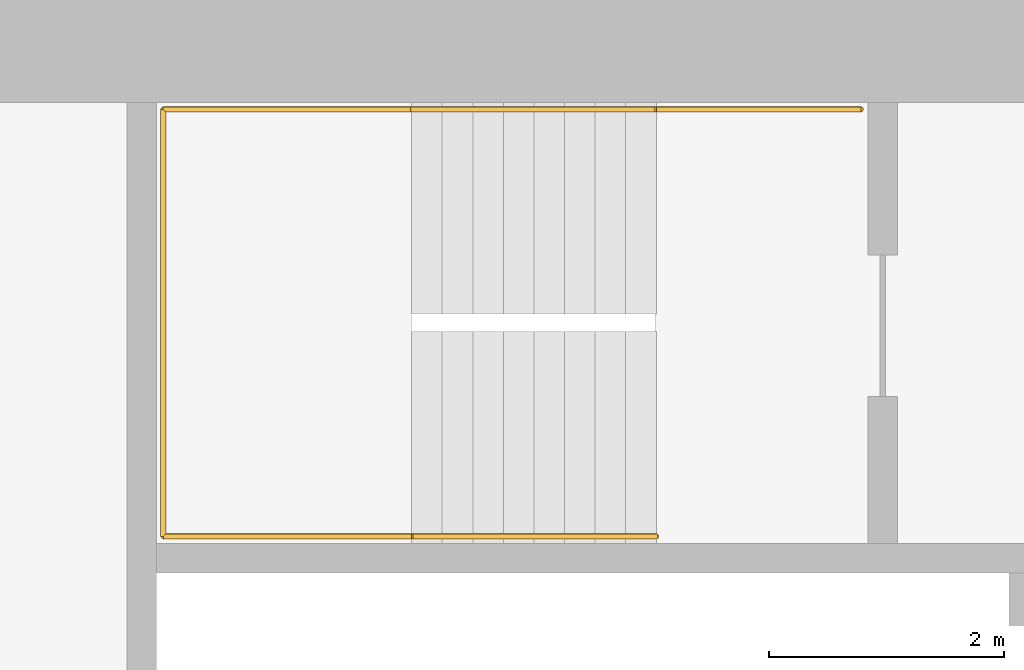
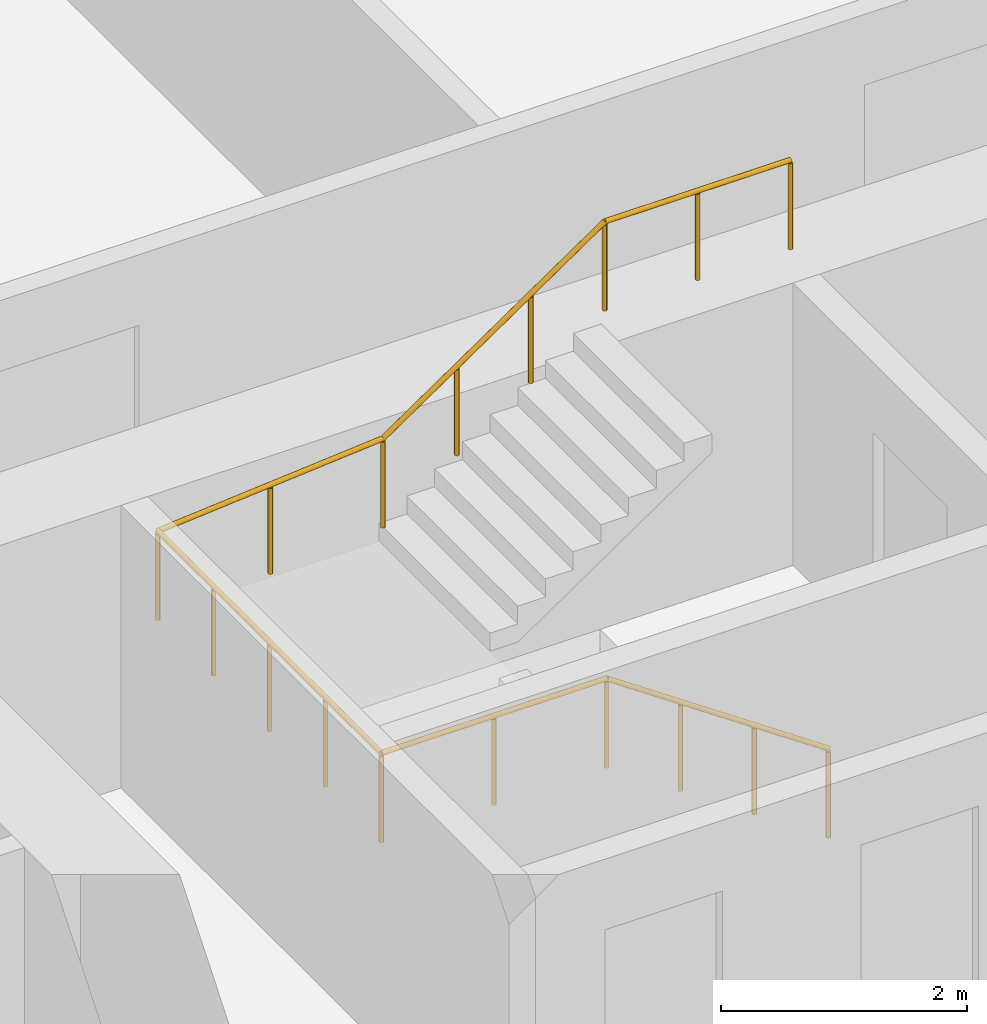
# One storey, part 31 of 37: 1 railing.
"""IFC4 building model written with IfcOpenShell, lengths in metres."""

import ifcopenshell
import ifcopenshell.guid

model = None  # the IFC model being written
_history = None  # IfcOwnerHistory: only IFC2X3 demands one
_inside = {}  # id of a spatial element -> (the spatial element, [elements in it])
_under = {}  # id of a project, library or spatial element -> (it, [spatial elements below it])
_declared = {}  # id of a project -> (the project, [libraries it declares])
_typed = {}  # id of a type object -> (the type object, [elements of that type])
_made_of = {}  # id of a material, layer set ... -> (it, [elements and type objects made of it])


def new_model(schema):
    """Start an empty IFC model of exactly this schema.

    Asked for "IFC4X3", IfcOpenShell would pick the latest addendum, in which some entities
    have other attributes; the version numbers below select the first issue.
    IFC2X3 requires an IfcOwnerHistory on every rooted entity: one is made here for all.
    """
    global model, _history
    if schema == "IFC4X3":
        model = ifcopenshell.file(schema_version=(4, 3, 0, 0))
    else:
        model = ifcopenshell.file(schema=schema)
    _inside.clear()
    _under.clear()
    _declared.clear()
    _typed.clear()
    _made_of.clear()
    _history = None
    if model.schema == "IFC2X3":
        org = make("IfcOrganization", Name="unknown")
        user = make(
            "IfcPersonAndOrganization",
            ThePerson=make("IfcPerson", FamilyName="unknown"),
            TheOrganization=org,
        )
        app = make(
            "IfcApplication",
            ApplicationDeveloper=org,
            Version="unknown",
            ApplicationFullName="unknown",
            ApplicationIdentifier="unknown",
        )
        _history = make(
            "IfcOwnerHistory",
            OwningUser=user,
            OwningApplication=app,
            ChangeAction="ADDED",
            CreationDate=0,
        )
    return model


def make(cls, **values):
    """One entity of the class cls with the attributes given. An attribute that is None is left unset."""
    return model.create_entity(
        cls, **{name: value for name, value in values.items() if value is not None}
    )


def rooted(cls, **values):
    """An entity with a GlobalId (a new one), such as an element, a storey or a relation."""
    return make(cls, GlobalId=ifcopenshell.guid.new(), OwnerHistory=_history, **values)


def si_unit(unit_type, name, prefix=None):
    """IfcSIUnit, for example si_unit("LENGTHUNIT", "METRE", prefix="MILLI")."""
    return make("IfcSIUnit", UnitType=unit_type, Prefix=prefix, Name=name)


def assignment(units):
    """IfcUnitAssignment: the units of a project."""
    return None if units is None else make("IfcUnitAssignment", Units=units)


def point(xyz):
    """IfcCartesianPoint."""
    return None if xyz is None else make("IfcCartesianPoint", Coordinates=xyz)


def direction(xyz):
    """IfcDirection."""
    return None if xyz is None else make("IfcDirection", DirectionRatios=xyz)


def frame(location, z_axis=None, x_axis=None):
    """IfcAxis2Placement3D, a coordinate frame: its origin and axes. An axis left out is left unset."""
    return make(
        "IfcAxis2Placement3D",
        Location=point(location),
        Axis=direction(z_axis),
        RefDirection=direction(x_axis),
    )


def frame_2d(location, x_axis=None):
    """IfcAxis2Placement2D, a coordinate frame in the plane: its origin and x axis."""
    return make(
        "IfcAxis2Placement2D", Location=point(location), RefDirection=direction(x_axis)
    )


def origin():
    """The frame at (0, 0, 0) with its axes left unset."""
    return frame((0.0, 0.0, 0.0))


def origin_2d():
    """The frame at (0, 0) in the plane with its x axis left unset."""
    return frame_2d((0.0, 0.0))


def place(relative_to, where):
    """IfcLocalPlacement: puts the frame where relative to a parent placement (None: the world)."""
    return make(
        "IfcLocalPlacement", PlacementRelTo=relative_to, RelativePlacement=where
    )


def context(
    kind, dimensions, precision=None, world=None, true_north=None, identifier=None
):
    """IfcGeometricRepresentationContext, for example the 3D "Model" context."""
    return make(
        "IfcGeometricRepresentationContext",
        ContextIdentifier=identifier,
        ContextType=kind,
        CoordinateSpaceDimension=dimensions,
        Precision=precision,
        WorldCoordinateSystem=world,
        TrueNorth=true_north,
    )


def subcontext(parent, identifier, kind, view, scale=None):
    """IfcGeometricRepresentationSubContext, for example "Body" below "Model"."""
    return make(
        "IfcGeometricRepresentationSubContext",
        ContextIdentifier=identifier,
        ContextType=kind,
        ParentContext=parent,
        TargetScale=scale,
        TargetView=view,
    )


def project(units=None, contexts=None):
    """IfcProject with its units and contexts."""
    return rooted(
        "IfcProject",
        Name="project",
        RepresentationContexts=contexts,
        UnitsInContext=assignment(units),
    )


def spatial(cls, under=None, at=None, **own):
    """A site, building, storey or space (cls), placed at a placement, below another one or the project."""
    s = rooted(cls, ObjectPlacement=at, **own)
    if under is not None:
        _under.setdefault(under.id(), (under, []))[1].append(s)
    return s


def profile(cls, at=None, kind="AREA", **sizes):
    """A parametric profile (cls). Its sizes go by their IFC names, for example OverallWidth=200.0."""
    return make(cls, ProfileType=kind, Position=at, **sizes)


def circle(**sizes):
    """IfcCircleProfileDef."""
    return profile("IfcCircleProfileDef", **sizes)


def extrude(swept, where, along, depth):
    """IfcExtrudedAreaSolid: the profile swept, set in the frame where, extruded along a direction by depth."""
    return make(
        "IfcExtrudedAreaSolid",
        SweptArea=swept,
        Position=where,
        ExtrudedDirection=direction(along),
        Depth=depth,
    )


def shape(context_of_items, identifier, shape_type, items):
    """IfcShapeRepresentation: the items that make up one representation, for example the "Body"."""
    return make(
        "IfcShapeRepresentation",
        ContextOfItems=context_of_items,
        RepresentationIdentifier=identifier,
        RepresentationType=shape_type,
        Items=items,
    )


def material(Name=None, Category=None):
    """IfcMaterial."""
    return make("IfcMaterial", Name=Name, Category=Category)


def made_of(thing, what):
    """Note that an element or type object is made of a material, layer set ...; save() writes the relation."""
    if what is not None:
        _made_of.setdefault(what.id(), (what, []))[1].append(thing)
    return thing


def type_object(cls, material=None, **own):
    """A type object (cls), such as IfcWallType, which elements share."""
    return made_of(rooted(cls, **own), material)


def element(
    cls,
    number,
    at=None,
    inside=None,
    cuts=None,
    type_object=None,
    material=None,
    context=None,
    identifier="Body",
    shape_type=None,
    held_by="IfcProductDefinitionShape",
    body=None,
    shapes=None,
    **own,
):
    """One element of the class cls, such as IfcWall. Its Tag is "e" and its number.

    at: its placement. inside: the storey or other place that contains it. cuts: it is an
    opening in that element (IfcRelVoidsElement). A single representation is given by context,
    identifier, shape_type and body (its items); several are given by shapes. held_by: the class
    of the entity that holds the representations. save() writes the other relations.
    """
    e = rooted(cls, Tag="e%d" % number, ObjectPlacement=at, **own)
    if body is not None:
        shapes = [shape(context, identifier, shape_type, body)]
    if shapes is not None:
        e.Representation = make(held_by, Representations=shapes)
    if inside is not None:
        _inside.setdefault(inside.id(), (inside, []))[1].append(e)
    if cuts is not None:
        rooted(
            "IfcRelVoidsElement", RelatingBuildingElement=cuts, RelatedOpeningElement=e
        )
    if type_object is not None:
        _typed.setdefault(type_object.id(), (type_object, []))[1].append(e)
    return made_of(e, material)


def aggregate(whole, parts):
    """IfcRelAggregates: a whole, such as a stair, and the parts it consists of."""
    return rooted("IfcRelAggregates", RelatingObject=whole, RelatedObjects=parts)


def save(model, path):
    """Write the relations noted so far, then the file.

    IfcRelAggregates (storeys below a building ...), IfcRelContainedInSpatialStructure (elements
    in a storey), IfcRelDefinesByType, IfcRelAssociatesMaterial and IfcRelDeclares: one each for
    every whole, place, type object, material and project.
    """
    for whole, parts in _under.values():
        aggregate(whole, parts)
    for where, things in _inside.values():
        rooted(
            "IfcRelContainedInSpatialStructure",
            RelatedElements=things,
            RelatingStructure=where,
        )
    for kind, things in _typed.values():
        rooted("IfcRelDefinesByType", RelatedObjects=things, RelatingType=kind)
    for what, things in _made_of.values():
        rooted("IfcRelAssociatesMaterial", RelatedObjects=things, RelatingMaterial=what)
    for by, libraries in _declared.values():
        rooted("IfcRelDeclares", RelatingContext=by, RelatedDefinitions=libraries)
    model.write(path)


model = new_model("IFC4")

# Units and contexts
model_context = context("Model", 3, precision=1e-05, world=origin(), true_north=direction((0.0, 1.0)))
body_context = subcontext(model_context, "Body", "Model", "MODEL_VIEW")
ifc_project = project(units=[si_unit("LENGTHUNIT", "METRE"), si_unit("AREAUNIT", "SQUARE_METRE"), si_unit("VOLUMEUNIT", "CUBIC_METRE"), si_unit("PLANEANGLEUNIT", "RADIAN"), si_unit("MASSUNIT", "GRAM", prefix="KILO")], contexts=[model_context])

# Site, building, storey
site_placement = place(None, origin())
site = spatial("IfcSite", under=ifc_project, at=site_placement, CompositionType="ELEMENT")
building_placement = place(site_placement, origin())
building = spatial("IfcBuilding", under=site, at=building_placement, Name="Hakoniwa Tower and Hamabe Station Hall", CompositionType="ELEMENT")
storey_placement = place(building_placement, frame((0.0, 0.0, 39.0)))
storey = spatial("IfcBuildingStorey", under=building, at=storey_placement, Name="L10", CompositionType="ELEMENT", Elevation=39.0)

# Railing
ifc_material = material(Name="Stainless steel SUS304", Category="steel")
railing_type = type_object("IfcRailingType", Name="STAIR HANDRAIL 900", PredefinedType="HANDRAIL", material=ifc_material)
railing_placement = place(storey_placement, frame((24.39990234375, 3.81005859375, 0.177734375)))
element("IfcRailing", 1, at=railing_placement, inside=storey, type_object=railing_type, Name="Handrail ST-3 L10 1", PredefinedType="HANDRAIL", context=body_context, shape_type="SweptSolid", body=[
    extrude(circle(Radius=0.02392578125, at=origin_2d()), frame((0.0, 0.0, 0.8759765625), z_axis=(-0.825433201882, 0.0, 0.564499804456), x_axis=(0.0, -1.0, 0.0)), (0.0, 0.0, 1.0), 2.519775390625),
    extrude(circle(Radius=0.02392578125, at=origin_2d()), frame((-2.079833984375, 0.0, 2.29833984375), z_axis=(-1.0, 0.0, 0.0), x_axis=(0.0, -1.0, 0.0)), (0.0, 0.0, 1.0), 2.110107421875),
    extrude(circle(Radius=0.02392578125, at=origin_2d()), frame((-4.18994140625, 0.0, 2.29833984375), z_axis=(0.0, 1.0, 0.0), x_axis=(-1.0, 0.0, 0.0)), (0.0, 0.0, 1.0), 3.6298828125),
    extrude(circle(Radius=0.02392578125, at=origin_2d()), frame((-4.18994140625, 3.6298828125, 2.29833984375), z_axis=(0.996471417081, 0.0, 0.083932800143), x_axis=(0.0, 1.0, 0.0)), (0.0, 0.0, 1.0), 2.11767578125),
    extrude(circle(Radius=0.02392578125, at=origin_2d()), frame((-2.079833984375, 3.6298828125, 2.47607421875), z_axis=(0.825478349766, 0.0, 0.564433781827), x_axis=(0.0, 1.0, 0.0)), (0.0, 0.0, 1.0), 2.51953125),
    extrude(circle(Radius=0.02392578125, at=origin_2d()), frame((0.0, 3.6298828125, 3.89794921875), z_axis=(1.0, 0.0, 0.0), x_axis=(0.0, 1.0, 0.0)), (0.0, 0.0, 1.0), 1.739990234375),
    extrude(circle(Radius=0.02099609375, at=origin_2d()), origin(), (0.0, 0.0, 1.0), 0.851806640625),
    extrude(circle(Radius=0.02099609375, at=origin_2d()), frame((-0.693359375, 0.0, 0.47412109375)), (0.0, 0.0, 1.0), 0.851806640625),
    extrude(circle(Radius=0.02099609375, at=origin_2d()), frame((-1.386474609375, 0.0, 0.9482421875)), (0.0, 0.0, 1.0), 0.851806640625),
    extrude(circle(Radius=0.02099609375, at=origin_2d()), frame((-2.079833984375, 0.0, 1.42236328125)), (0.0, 0.0, 1.0), 0.851806640625),
    extrude(circle(Radius=0.02099609375, at=origin_2d()), frame((-3.134765625, 0.0, 1.42236328125)), (0.0, 0.0, 1.0), 0.851806640625),
    extrude(circle(Radius=0.02099609375, at=origin_2d()), frame((-4.18994140625, 0.0, 1.42236328125)), (0.0, 0.0, 1.0), 0.851806640625),
    extrude(circle(Radius=0.02099609375, at=origin_2d()), frame((-4.18994140625, 0.907470703125, 1.42236328125)), (0.0, 0.0, 1.0), 0.851806640625),
    extrude(circle(Radius=0.02099609375, at=origin_2d()), frame((-4.18994140625, 1.81494140625, 1.42236328125)), (0.0, 0.0, 1.0), 0.851806640625),
    extrude(circle(Radius=0.02099609375, at=origin_2d()), frame((-4.18994140625, 2.722412109375, 1.42236328125)), (0.0, 0.0, 1.0), 0.851806640625),
    extrude(circle(Radius=0.02099609375, at=origin_2d()), frame((-4.18994140625, 3.6298828125, 1.42236328125)), (0.0, 0.0, 1.0), 0.851806640625),
    extrude(circle(Radius=0.02099609375, at=origin_2d()), frame((-3.134765625, 3.6298828125, 1.51123046875)), (0.0, 0.0, 1.0), 0.851806640625),
    extrude(circle(Radius=0.02099609375, at=origin_2d()), frame((-2.079833984375, 3.6298828125, 1.60009765625)), (0.0, 0.0, 1.0), 0.851806640625),
    extrude(circle(Radius=0.02099609375, at=origin_2d()), frame((-1.386474609375, 3.6298828125, 2.07421875)), (0.0, 0.0, 1.0), 0.851806640625),
    extrude(circle(Radius=0.02099609375, at=origin_2d()), frame((-0.693359375, 3.6298828125, 2.548095703125)), (0.0, 0.0, 1.0), 0.851806640625),
    extrude(circle(Radius=0.02099609375, at=origin_2d()), frame((0.0, 3.6298828125, 3.022216796875)), (0.0, 0.0, 1.0), 0.851806640625),
    extrude(circle(Radius=0.02099609375, at=origin_2d()), frame((0.8701171875, 3.6298828125, 3.022216796875)), (0.0, 0.0, 1.0), 0.851806640625),
    extrude(circle(Radius=0.02099609375, at=origin_2d()), frame((1.739990234375, 3.6298828125, 3.022216796875)), (0.0, 0.0, 1.0), 0.851806640625),
])

save(model, "model.ifc")
